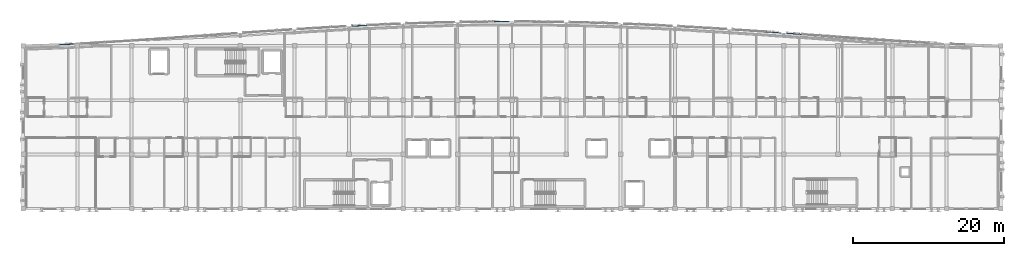
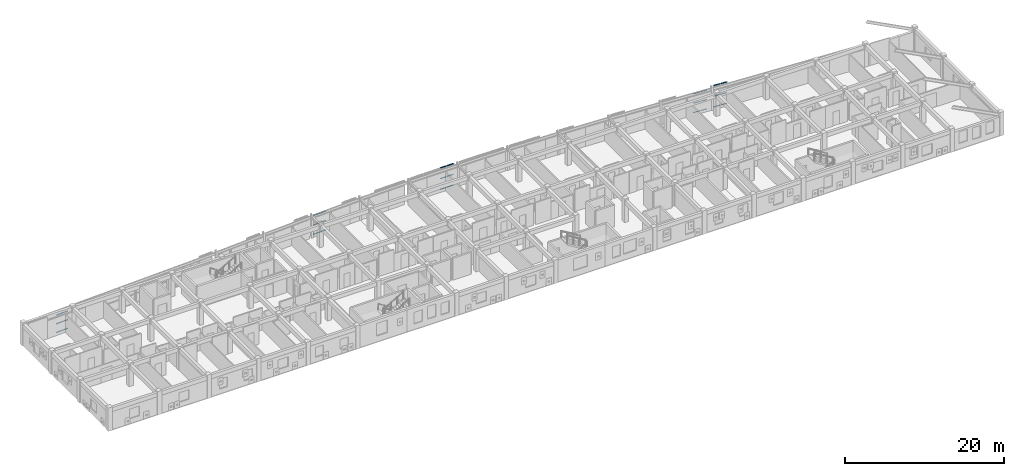
# One storey, part 31 of 51: 30 members, 5 elements without a shape of their own.
"""IFC4 building model written with IfcOpenShell, lengths in metres."""

from ifc_helpers import new_model, si_unit, direction, frame, origin, origin_2d, place, context, subcontext, project, spatial, hollow_rectangle, extrude, material, layer, layer_set, material_profile, profile_set, type_object, element, aggregate, save


model = new_model("IFC4")

# Units and contexts
model_context = context("Model", 3, precision=1e-05, world=origin(), true_north=direction((0.0, 1.0)))
body_context = subcontext(model_context, "Body", "Model", "MODEL_VIEW")
ifc_project = project(units=[si_unit("LENGTHUNIT", "METRE"), si_unit("AREAUNIT", "SQUARE_METRE"), si_unit("VOLUMEUNIT", "CUBIC_METRE"), si_unit("PLANEANGLEUNIT", "RADIAN"), si_unit("MASSUNIT", "GRAM", prefix="KILO")], contexts=[model_context])

# Site, building, storey
site_placement = place(None, origin())
site = spatial("IfcSite", under=ifc_project, at=site_placement, CompositionType="ELEMENT")
building_placement = place(site_placement, origin())
building = spatial("IfcBuilding", under=site, at=building_placement, Name="Carrowvane Square Congress Hotel", CompositionType="ELEMENT")
storey_placement = place(building_placement, frame((0.0, 0.0, 30.0)))
storey = spatial("IfcBuildingStorey", under=building, at=storey_placement, Name="L07", CompositionType="ELEMENT", Elevation=30.0)

# Curtain wall, members
ifc_material_1 = material(Name="Anodised aluminium", Category="aluminium")
ifc_layer_1 = layer(ifc_material_1, 0.23388671875)
ifc_layer_set_1 = layer_set([ifc_layer_1], Name="Anodised aluminium")
curtain_wall_type_1 = type_object("IfcCurtainWallType", Name="CW-SYS-7", PredefinedType="NOTDEFINED", material=ifc_layer_set_1)
curtain_wall_1_placement = place(storey_placement, origin())
curtain_wall_1 = element("IfcCurtainWall", 1, at=curtain_wall_1_placement, inside=storey, type_object=curtain_wall_type_1, Name="L07 unitised curtain wall 446", PredefinedType="NOTDEFINED")
ifc_material_2 = material(Name="Anodised aluminium", Category="aluminium")
ifc_material_profile_1 = material_profile(ifc_material_2, hollow_rectangle(XDim=0.06005859375, YDim=0.1298828125, WallThickness=0.00390625, at=origin_2d()), Name="CW-TR 60x130x4")
ifc_profile_set_1 = profile_set([ifc_material_profile_1], Name="Anodised aluminium")
member_type_1 = type_object("IfcMemberType", Name="CW-TRN-1", PredefinedType="USERDEFINED", material=ifc_profile_set_1)
member_1_placement = place(storey_placement, frame((131.659912109375, 115.24951171875, 0.030029296875), z_axis=(0.997561151835, -0.069797910781, 0.0), x_axis=(0.069797910781, 0.997561151835, 0.0)))
member_1 = element("IfcMember", 2, at=member_1_placement, type_object=member_type_1, Name="CW-7 transom 1.1", ObjectType="TRANSOM", PredefinedType="USERDEFINED", context=body_context, shape_type="SweptSolid", body=[
    extrude(hollow_rectangle(XDim=0.06005859375, YDim=0.1298828125, WallThickness=0.00390625, at=origin_2d()), origin(), (0.0, 0.0, 1.0), 0.933837890625),
])
member_2_placement = place(storey_placement, frame((131.659912109375, 115.24951171875, 1.4677734375), z_axis=(0.997561151835, -0.069797910781, 0.0), x_axis=(0.069797910781, 0.997561151835, 0.0)))
member_2 = element("IfcMember", 3, at=member_2_placement, type_object=member_type_1, Name="CW-7 transom 1.2", ObjectType="TRANSOM", PredefinedType="USERDEFINED", context=body_context, shape_type="SweptSolid", body=[
    extrude(hollow_rectangle(XDim=0.06005859375, YDim=0.1298828125, WallThickness=0.00390625, at=origin_2d()), origin(), (0.0, 0.0, 1.0), 0.933837890625),
])
member_3_placement = place(storey_placement, frame((131.659912109375, 115.24951171875, 2.905517578125), z_axis=(0.997561151835, -0.069797910781, 0.0), x_axis=(0.069797910781, 0.997561151835, 0.0)))
member_3 = element("IfcMember", 4, at=member_3_placement, type_object=member_type_1, Name="CW-7 transom 1.3", ObjectType="TRANSOM", PredefinedType="USERDEFINED", context=body_context, shape_type="SweptSolid", body=[
    extrude(hollow_rectangle(XDim=0.06005859375, YDim=0.1298828125, WallThickness=0.00390625, at=origin_2d()), origin(), (0.0, 0.0, 1.0), 0.933837890625),
])
member_4_placement = place(storey_placement, frame((132.6513671875, 115.18017578125, 0.030029296875), z_axis=(0.997578055403, -0.069555901111, 0.0), x_axis=(0.069555901111, 0.997578055403, 0.0)))
member_4 = element("IfcMember", 5, at=member_4_placement, type_object=member_type_1, Name="CW-7 transom 2.1", ObjectType="TRANSOM", PredefinedType="USERDEFINED", context=body_context, shape_type="SweptSolid", body=[
    extrude(hollow_rectangle(XDim=0.06005859375, YDim=0.1298828125, WallThickness=0.00390625, at=origin_2d()), origin(), (0.0, 0.0, 1.0), 0.93359375),
])
member_5_placement = place(storey_placement, frame((132.6513671875, 115.18017578125, 1.4677734375), z_axis=(0.997578055403, -0.069555901111, 0.0), x_axis=(0.069555901111, 0.997578055403, 0.0)))
member_5 = element("IfcMember", 6, at=member_5_placement, type_object=member_type_1, Name="CW-7 transom 2.2", ObjectType="TRANSOM", PredefinedType="USERDEFINED", context=body_context, shape_type="SweptSolid", body=[
    extrude(hollow_rectangle(XDim=0.06005859375, YDim=0.1298828125, WallThickness=0.00390625, at=origin_2d()), origin(), (0.0, 0.0, 1.0), 0.93359375),
])
member_6_placement = place(storey_placement, frame((132.6513671875, 115.18017578125, 2.905517578125), z_axis=(0.997578055403, -0.069555901111, 0.0), x_axis=(0.069555901111, 0.997578055403, 0.0)))
member_6 = element("IfcMember", 7, at=member_6_placement, type_object=member_type_1, Name="CW-7 transom 2.3", ObjectType="TRANSOM", PredefinedType="USERDEFINED", context=body_context, shape_type="SweptSolid", body=[
    extrude(hollow_rectangle(XDim=0.06005859375, YDim=0.1298828125, WallThickness=0.00390625, at=origin_2d()), origin(), (0.0, 0.0, 1.0), 0.93359375),
])
aggregate(curtain_wall_1, [member_1, member_2, member_3, member_4, member_5, member_6])

ifc_material_3 = material(Name="Anodised aluminium", Category="aluminium")
ifc_layer_2 = layer(ifc_material_3, 0.24609375)
ifc_layer_set_2 = layer_set([ifc_layer_2], Name="Anodised aluminium")
curtain_wall_type_2 = type_object("IfcCurtainWallType", Name="CW-SYS-8", PredefinedType="NOTDEFINED", material=ifc_layer_set_2)
curtain_wall_2_placement = place(storey_placement, origin())
curtain_wall_2 = element("IfcCurtainWall", 8, at=curtain_wall_2_placement, inside=storey, type_object=curtain_wall_type_2, Name="L07 unitised curtain wall 407", PredefinedType="NOTDEFINED")
ifc_material_4 = material(Name="Anodised aluminium", Category="aluminium")
ifc_material_profile_2 = material_profile(ifc_material_4, hollow_rectangle(XDim=0.070068359375, YDim=0.14990234375, WallThickness=0.0048828125, at=origin_2d()), Name="CW-TR 70x150x5")
ifc_profile_set_2 = profile_set([ifc_material_profile_2], Name="Anodised aluminium")
member_type_2 = type_object("IfcMemberType", Name="CW-TRN-2", PredefinedType="USERDEFINED", material=ifc_profile_set_2)
member_7_placement = place(storey_placement, frame((38.06982421875, 113.544189453125, 0.034912109375), z_axis=(0.998921323218, 0.046434793217, 0.0), x_axis=(-0.046434793217, 0.998921323218, 0.0)))
member_7 = element("IfcMember", 9, at=member_7_placement, type_object=member_type_2, Name="CW-8 transom 1.1", ObjectType="TRANSOM", PredefinedType="USERDEFINED", context=body_context, shape_type="SweptSolid", body=[
    extrude(hollow_rectangle(XDim=0.070068359375, YDim=0.14990234375, WallThickness=0.0048828125, at=origin_2d()), origin(), (0.0, 0.0, 1.0), 0.851806640625),
])
member_8_placement = place(storey_placement, frame((38.06982421875, 113.544189453125, 1.37255859375), z_axis=(0.998921323218, 0.046434793217, 0.0), x_axis=(-0.046434793217, 0.998921323218, 0.0)))
member_8 = element("IfcMember", 10, at=member_8_placement, type_object=member_type_2, Name="CW-8 transom 1.2", ObjectType="TRANSOM", PredefinedType="USERDEFINED", context=body_context, shape_type="SweptSolid", body=[
    extrude(hollow_rectangle(XDim=0.070068359375, YDim=0.14990234375, WallThickness=0.0048828125, at=origin_2d()), origin(), (0.0, 0.0, 1.0), 0.851806640625),
])
member_9_placement = place(storey_placement, frame((38.06982421875, 113.544189453125, 2.7099609375), z_axis=(0.998921323218, 0.046434793217, 0.0), x_axis=(-0.046434793217, 0.998921323218, 0.0)))
member_9 = element("IfcMember", 11, at=member_9_placement, type_object=member_type_2, Name="CW-8 transom 1.3", ObjectType="TRANSOM", PredefinedType="USERDEFINED", context=body_context, shape_type="SweptSolid", body=[
    extrude(hollow_rectangle(XDim=0.070068359375, YDim=0.14990234375, WallThickness=0.0048828125, at=origin_2d()), origin(), (0.0, 0.0, 1.0), 0.851806640625),
])
member_10_placement = place(storey_placement, frame((38.99072265625, 113.587158203125, 0.034912109375), z_axis=(0.998921323218, 0.046434793217, 0.0), x_axis=(-0.046434793217, 0.998921323218, 0.0)))
member_10 = element("IfcMember", 12, at=member_10_placement, type_object=member_type_2, Name="CW-8 transom 2.1", ObjectType="TRANSOM", PredefinedType="USERDEFINED", context=body_context, shape_type="SweptSolid", body=[
    extrude(hollow_rectangle(XDim=0.070068359375, YDim=0.14990234375, WallThickness=0.0048828125, at=origin_2d()), origin(), (0.0, 0.0, 1.0), 0.851806640625),
])
member_11_placement = place(storey_placement, frame((38.99072265625, 113.587158203125, 1.37255859375), z_axis=(0.998921323218, 0.046434793217, 0.0), x_axis=(-0.046434793217, 0.998921323218, 0.0)))
member_11 = element("IfcMember", 13, at=member_11_placement, type_object=member_type_2, Name="CW-8 transom 2.2", ObjectType="TRANSOM", PredefinedType="USERDEFINED", context=body_context, shape_type="SweptSolid", body=[
    extrude(hollow_rectangle(XDim=0.070068359375, YDim=0.14990234375, WallThickness=0.0048828125, at=origin_2d()), origin(), (0.0, 0.0, 1.0), 0.851806640625),
])
member_12_placement = place(storey_placement, frame((38.99072265625, 113.587158203125, 2.7099609375), z_axis=(0.998921323218, 0.046434793217, 0.0), x_axis=(-0.046434793217, 0.998921323218, 0.0)))
member_12 = element("IfcMember", 14, at=member_12_placement, type_object=member_type_2, Name="CW-8 transom 2.3", ObjectType="TRANSOM", PredefinedType="USERDEFINED", context=body_context, shape_type="SweptSolid", body=[
    extrude(hollow_rectangle(XDim=0.070068359375, YDim=0.14990234375, WallThickness=0.0048828125, at=origin_2d()), origin(), (0.0, 0.0, 1.0), 0.851806640625),
])
aggregate(curtain_wall_2, [member_7, member_8, member_9, member_10, member_11, member_12])

curtain_wall_3_placement = place(storey_placement, origin())
curtain_wall_3 = element("IfcCurtainWall", 15, at=curtain_wall_3_placement, inside=storey, type_object=curtain_wall_type_2, Name="L07 unitised curtain wall 423", PredefinedType="NOTDEFINED")
member_13_placement = place(storey_placement, frame((76.83447265625, 116.01953125, 0.034912109375), z_axis=(0.998738311193, 0.050217384997, 0.0), x_axis=(-0.050217384997, 0.998738311193, 0.0)))
member_13 = element("IfcMember", 16, at=member_13_placement, type_object=member_type_2, Name="CW-8 transom 1.1", ObjectType="TRANSOM", PredefinedType="USERDEFINED", context=body_context, shape_type="SweptSolid", body=[
    extrude(hollow_rectangle(XDim=0.070068359375, YDim=0.14990234375, WallThickness=0.0048828125, at=origin_2d()), origin(), (0.0, 0.0, 1.0), 0.9140625),
])
member_14_placement = place(storey_placement, frame((76.83447265625, 116.01953125, 1.4677734375), z_axis=(0.998738311193, 0.050217384997, 0.0), x_axis=(-0.050217384997, 0.998738311193, 0.0)))
member_14 = element("IfcMember", 17, at=member_14_placement, type_object=member_type_2, Name="CW-8 transom 1.2", ObjectType="TRANSOM", PredefinedType="USERDEFINED", context=body_context, shape_type="SweptSolid", body=[
    extrude(hollow_rectangle(XDim=0.070068359375, YDim=0.14990234375, WallThickness=0.0048828125, at=origin_2d()), origin(), (0.0, 0.0, 1.0), 0.9140625),
])
member_15_placement = place(storey_placement, frame((76.83447265625, 116.01953125, 2.900634765625), z_axis=(0.998738311193, 0.050217384997, 0.0), x_axis=(-0.050217384997, 0.998738311193, 0.0)))
member_15 = element("IfcMember", 18, at=member_15_placement, type_object=member_type_2, Name="CW-8 transom 1.3", ObjectType="TRANSOM", PredefinedType="USERDEFINED", context=body_context, shape_type="SweptSolid", body=[
    extrude(hollow_rectangle(XDim=0.070068359375, YDim=0.14990234375, WallThickness=0.0048828125, at=origin_2d()), origin(), (0.0, 0.0, 1.0), 0.9140625),
])
member_16_placement = place(storey_placement, frame((77.817138671875, 116.069091796875, 0.034912109375), z_axis=(0.998738311193, 0.050217384997, 0.0), x_axis=(-0.050217384997, 0.998738311193, 0.0)))
member_16 = element("IfcMember", 19, at=member_16_placement, type_object=member_type_2, Name="CW-8 transom 2.1", ObjectType="TRANSOM", PredefinedType="USERDEFINED", context=body_context, shape_type="SweptSolid", body=[
    extrude(hollow_rectangle(XDim=0.070068359375, YDim=0.14990234375, WallThickness=0.0048828125, at=origin_2d()), origin(), (0.0, 0.0, 1.0), 0.9140625),
])
member_17_placement = place(storey_placement, frame((77.817138671875, 116.069091796875, 1.4677734375), z_axis=(0.998738311193, 0.050217384997, 0.0), x_axis=(-0.050217384997, 0.998738311193, 0.0)))
member_17 = element("IfcMember", 20, at=member_17_placement, type_object=member_type_2, Name="CW-8 transom 2.2", ObjectType="TRANSOM", PredefinedType="USERDEFINED", context=body_context, shape_type="SweptSolid", body=[
    extrude(hollow_rectangle(XDim=0.070068359375, YDim=0.14990234375, WallThickness=0.0048828125, at=origin_2d()), origin(), (0.0, 0.0, 1.0), 0.9140625),
])
member_18_placement = place(storey_placement, frame((77.817138671875, 116.069091796875, 2.900634765625), z_axis=(0.998738311193, 0.050217384997, 0.0), x_axis=(-0.050217384997, 0.998738311193, 0.0)))
member_18 = element("IfcMember", 21, at=member_18_placement, type_object=member_type_2, Name="CW-8 transom 2.3", ObjectType="TRANSOM", PredefinedType="USERDEFINED", context=body_context, shape_type="SweptSolid", body=[
    extrude(hollow_rectangle(XDim=0.070068359375, YDim=0.14990234375, WallThickness=0.0048828125, at=origin_2d()), origin(), (0.0, 0.0, 1.0), 0.9140625),
])
aggregate(curtain_wall_3, [member_13, member_14, member_15, member_16, member_17, member_18])

curtain_wall_4_placement = place(storey_placement, origin())
curtain_wall_4 = element("IfcCurtainWall", 22, at=curtain_wall_4_placement, inside=storey, type_object=curtain_wall_type_2, Name="L07 unitised curtain wall 431", PredefinedType="NOTDEFINED")
member_19_placement = place(storey_placement, frame((95.669921875, 116.59228515625, 0.034912109375), z_axis=(0.999994732189, 0.003245857935, 0.0), x_axis=(-0.003245857935, 0.999994732189, 0.0)))
member_19 = element("IfcMember", 23, at=member_19_placement, type_object=member_type_2, Name="CW-8 transom 1.1", ObjectType="TRANSOM", PredefinedType="USERDEFINED", context=body_context, shape_type="SweptSolid", body=[
    extrude(hollow_rectangle(XDim=0.070068359375, YDim=0.14990234375, WallThickness=0.0048828125, at=origin_2d()), origin(), (0.0, 0.0, 1.0), 0.902587890625),
])
member_20_placement = place(storey_placement, frame((95.669921875, 116.59228515625, 1.679931640625), z_axis=(0.999994732189, 0.003245857935, 0.0), x_axis=(-0.003245857935, 0.999994732189, 0.0)))
member_20 = element("IfcMember", 24, at=member_20_placement, type_object=member_type_2, Name="CW-8 transom 1.2", ObjectType="TRANSOM", PredefinedType="USERDEFINED", context=body_context, shape_type="SweptSolid", body=[
    extrude(hollow_rectangle(XDim=0.070068359375, YDim=0.14990234375, WallThickness=0.0048828125, at=origin_2d()), origin(), (0.0, 0.0, 1.0), 0.902587890625),
])
member_21_placement = place(storey_placement, frame((95.669921875, 116.59228515625, 3.324951171875), z_axis=(0.999994732189, 0.003245857935, 0.0), x_axis=(-0.003245857935, 0.999994732189, 0.0)))
member_21 = element("IfcMember", 25, at=member_21_placement, type_object=member_type_2, Name="CW-8 transom 1.3", ObjectType="TRANSOM", PredefinedType="USERDEFINED", context=body_context, shape_type="SweptSolid", body=[
    extrude(hollow_rectangle(XDim=0.070068359375, YDim=0.14990234375, WallThickness=0.0048828125, at=origin_2d()), origin(), (0.0, 0.0, 1.0), 0.902587890625),
])
member_22_placement = place(storey_placement, frame((96.642578125, 116.595458984375, 0.034912109375), z_axis=(0.999993817647, 0.003516342881, 0.0), x_axis=(-0.003516342881, 0.999993817647, 0.0)))
member_22 = element("IfcMember", 26, at=member_22_placement, type_object=member_type_2, Name="CW-8 transom 2.1", ObjectType="TRANSOM", PredefinedType="USERDEFINED", context=body_context, shape_type="SweptSolid", body=[
    extrude(hollow_rectangle(XDim=0.070068359375, YDim=0.14990234375, WallThickness=0.0048828125, at=origin_2d()), origin(), (0.0, 0.0, 1.0), 0.902587890625),
])
member_23_placement = place(storey_placement, frame((96.642578125, 116.595458984375, 1.679931640625), z_axis=(0.999993817647, 0.003516342881, 0.0), x_axis=(-0.003516342881, 0.999993817647, 0.0)))
member_23 = element("IfcMember", 27, at=member_23_placement, type_object=member_type_2, Name="CW-8 transom 2.2", ObjectType="TRANSOM", PredefinedType="USERDEFINED", context=body_context, shape_type="SweptSolid", body=[
    extrude(hollow_rectangle(XDim=0.070068359375, YDim=0.14990234375, WallThickness=0.0048828125, at=origin_2d()), origin(), (0.0, 0.0, 1.0), 0.902587890625),
])
member_24_placement = place(storey_placement, frame((96.642578125, 116.595458984375, 3.324951171875), z_axis=(0.999993817647, 0.003516342881, 0.0), x_axis=(-0.003516342881, 0.999993817647, 0.0)))
member_24 = element("IfcMember", 28, at=member_24_placement, type_object=member_type_2, Name="CW-8 transom 2.3", ObjectType="TRANSOM", PredefinedType="USERDEFINED", context=body_context, shape_type="SweptSolid", body=[
    extrude(hollow_rectangle(XDim=0.070068359375, YDim=0.14990234375, WallThickness=0.0048828125, at=origin_2d()), origin(), (0.0, 0.0, 1.0), 0.902587890625),
])
aggregate(curtain_wall_4, [member_19, member_20, member_21, member_22, member_23, member_24])

curtain_wall_5_placement = place(storey_placement, origin())
curtain_wall_5 = element("IfcCurtainWall", 29, at=curtain_wall_5_placement, inside=storey, type_object=curtain_wall_type_2, Name="L07 unitised curtain wall 447", PredefinedType="NOTDEFINED")
member_25_placement = place(storey_placement, frame((134.48046875, 115.0517578125, 0.034912109375), z_axis=(0.997485024842, -0.070877536745, 0.0), x_axis=(0.070877536745, 0.997485024842, 0.0)))
member_25 = element("IfcMember", 30, at=member_25_placement, type_object=member_type_2, Name="CW-8 transom 1.1", ObjectType="TRANSOM", PredefinedType="USERDEFINED", context=body_context, shape_type="SweptSolid", body=[
    extrude(hollow_rectangle(XDim=0.070068359375, YDim=0.14990234375, WallThickness=0.0048828125, at=origin_2d()), origin(), (0.0, 0.0, 1.0), 0.89208984375),
])
member_26_placement = place(storey_placement, frame((134.48046875, 115.0517578125, 1.679931640625), z_axis=(0.997485024842, -0.070877536745, 0.0), x_axis=(0.070877536745, 0.997485024842, 0.0)))
member_26 = element("IfcMember", 31, at=member_26_placement, type_object=member_type_2, Name="CW-8 transom 1.2", ObjectType="TRANSOM", PredefinedType="USERDEFINED", context=body_context, shape_type="SweptSolid", body=[
    extrude(hollow_rectangle(XDim=0.070068359375, YDim=0.14990234375, WallThickness=0.0048828125, at=origin_2d()), origin(), (0.0, 0.0, 1.0), 0.89208984375),
])
member_27_placement = place(storey_placement, frame((134.48046875, 115.0517578125, 3.324951171875), z_axis=(0.997485024842, -0.070877536745, 0.0), x_axis=(0.070877536745, 0.997485024842, 0.0)))
member_27 = element("IfcMember", 32, at=member_27_placement, type_object=member_type_2, Name="CW-8 transom 1.3", ObjectType="TRANSOM", PredefinedType="USERDEFINED", context=body_context, shape_type="SweptSolid", body=[
    extrude(hollow_rectangle(XDim=0.070068359375, YDim=0.14990234375, WallThickness=0.0048828125, at=origin_2d()), origin(), (0.0, 0.0, 1.0), 0.89208984375),
])
member_28_placement = place(storey_placement, frame((135.440185546875, 114.9833984375, 0.034912109375), z_axis=(0.997486399037, -0.070858194556, 0.0), x_axis=(0.070858194556, 0.997486399037, 0.0)))
member_28 = element("IfcMember", 33, at=member_28_placement, type_object=member_type_2, Name="CW-8 transom 2.1", ObjectType="TRANSOM", PredefinedType="USERDEFINED", context=body_context, shape_type="SweptSolid", body=[
    extrude(hollow_rectangle(XDim=0.070068359375, YDim=0.14990234375, WallThickness=0.0048828125, at=origin_2d()), origin(), (0.0, 0.0, 1.0), 0.892333984375),
])
member_29_placement = place(storey_placement, frame((135.440185546875, 114.9833984375, 1.679931640625), z_axis=(0.997486399037, -0.070858194556, 0.0), x_axis=(0.070858194556, 0.997486399037, 0.0)))
member_29 = element("IfcMember", 34, at=member_29_placement, type_object=member_type_2, Name="CW-8 transom 2.2", ObjectType="TRANSOM", PredefinedType="USERDEFINED", context=body_context, shape_type="SweptSolid", body=[
    extrude(hollow_rectangle(XDim=0.070068359375, YDim=0.14990234375, WallThickness=0.0048828125, at=origin_2d()), origin(), (0.0, 0.0, 1.0), 0.892333984375),
])
member_30_placement = place(storey_placement, frame((135.440185546875, 114.9833984375, 3.324951171875), z_axis=(0.997486399037, -0.070858194556, 0.0), x_axis=(0.070858194556, 0.997486399037, 0.0)))
member_30 = element("IfcMember", 35, at=member_30_placement, type_object=member_type_2, Name="CW-8 transom 2.3", ObjectType="TRANSOM", PredefinedType="USERDEFINED", context=body_context, shape_type="SweptSolid", body=[
    extrude(hollow_rectangle(XDim=0.070068359375, YDim=0.14990234375, WallThickness=0.0048828125, at=origin_2d()), origin(), (0.0, 0.0, 1.0), 0.892333984375),
])
aggregate(curtain_wall_5, [member_25, member_26, member_27, member_28, member_29, member_30])

save(model, "model.ifc")
